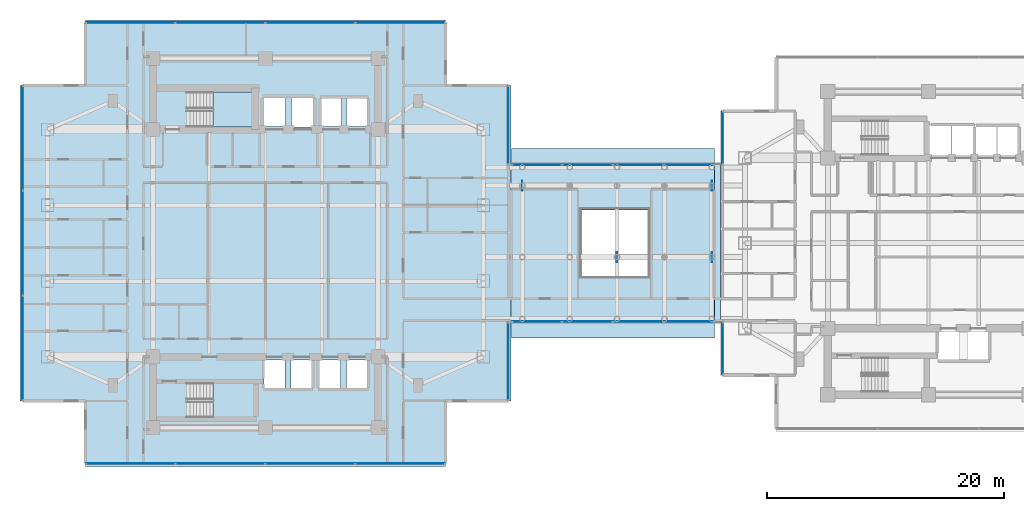
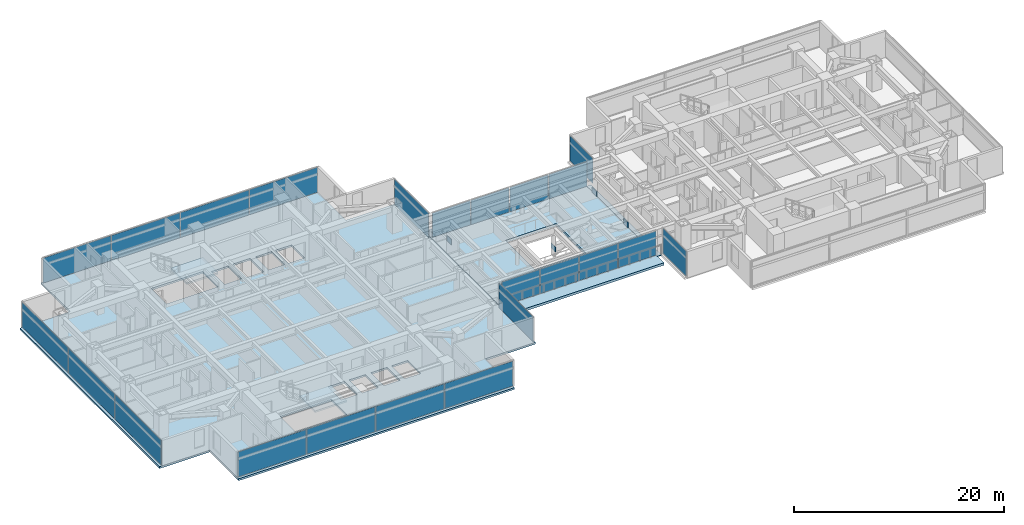
# One storey, part 12 of 28: 27 plates, 5 slabs, 11 elements without a shape of their own.
"""IFC4 building model written with IfcOpenShell, lengths in metres."""

from ifc_helpers import new_model, si_unit, direction, frame, origin, origin_2d, place, context, subcontext, project, spatial, polyline, rectangle, outline, extrude, material, layer, layer_set, type_object, element, aggregate, save


model = new_model("IFC4")

# Units and contexts
model_context = context("Model", 3, precision=1e-05, world=origin(), true_north=direction((0.0, 1.0)))
body_context = subcontext(model_context, "Body", "Model", "MODEL_VIEW")
ifc_project = project(units=[si_unit("LENGTHUNIT", "METRE"), si_unit("AREAUNIT", "SQUARE_METRE"), si_unit("VOLUMEUNIT", "CUBIC_METRE"), si_unit("PLANEANGLEUNIT", "RADIAN"), si_unit("MASSUNIT", "GRAM", prefix="KILO")], contexts=[model_context])

# Site, building, storey
site_placement = place(None, origin())
site = spatial("IfcSite", under=ifc_project, at=site_placement, CompositionType="ELEMENT")
building_placement = place(site_placement, origin())
building = spatial("IfcBuilding", under=site, at=building_placement, Name="Mirazonda Arch Towers", CompositionType="ELEMENT")
storey_placement = place(building_placement, frame((0.0, 0.0, 91.699951171875)))
storey = spatial("IfcBuildingStorey", under=building, at=storey_placement, Name="L25", CompositionType="ELEMENT", Elevation=91.699951171875)

# Curtain wall, plates
ifc_material_1 = material(Name="Anodised Aluminium and Low-E Glass", Category="aluminium")
curtain_wall_type_1 = type_object("IfcCurtainWallType", Name="CW-BRG-LINK", PredefinedType="NOTDEFINED", material=ifc_material_1)
curtain_wall_1_placement = place(storey_placement, origin())
curtain_wall_1 = element("IfcCurtainWall", 1, at=curtain_wall_1_placement, inside=storey, type_object=curtain_wall_type_1, Name="L25 Skybridge South Glazing CW-L25-BRG-S", PredefinedType="NOTDEFINED")
ifc_material_2 = material(Name="Insulated Low-E Solar Glass", Category="glass")
ifc_layer_1 = layer(ifc_material_2, 0.0439453125, Name="PAN-CW-BRG-LINK")
ifc_layer_set_1 = layer_set([ifc_layer_1], Name="Insulated Low-E Solar Glass")
plate_type_1 = type_object("IfcPlateType", Name="PAN-CW-BRG-LINK", PredefinedType="CURTAIN_PANEL", material=ifc_layer_set_1)
plate_1_placement = place(storey_placement, frame((56.28076171875, 21.3798828125, 0.0849609375), z_axis=(0.0, 0.0, 1.0), x_axis=(-1.0, 0.0, 0.0)))
plate_1 = element("IfcPlate", 2, at=plate_1_placement, type_object=plate_type_1, Name="CW-103 panel 1.1", PredefinedType="CURTAIN_PANEL", context=body_context, shape_type="SweptSolid", body=[
    extrude(rectangle(XDim=4.16748046875, YDim=0.0439453125, at=origin_2d()), origin(), (0.0, 0.0, 1.0), 2.830078125),
])
plate_2_placement = place(storey_placement, frame((52.007080078125, 21.3798828125, 0.0849609375), z_axis=(0.0, 0.0, 1.0), x_axis=(-1.0, 0.0, 0.0)))
plate_2 = element("IfcPlate", 3, at=plate_2_placement, type_object=plate_type_1, Name="CW-103 panel 2.1", PredefinedType="CURTAIN_PANEL", context=body_context, shape_type="SweptSolid", body=[
    extrude(rectangle(XDim=4.2099609375, YDim=0.0439453125, at=origin_2d()), origin(), (0.0, 0.0, 1.0), 2.830078125),
])
plate_3_placement = place(storey_placement, frame((47.71240234375, 21.3798828125, 0.0849609375), z_axis=(0.0, 0.0, 1.0), x_axis=(-1.0, 0.0, 0.0)))
plate_3 = element("IfcPlate", 4, at=plate_3_placement, type_object=plate_type_1, Name="CW-103 panel 3.1", PredefinedType="CURTAIN_PANEL", context=body_context, shape_type="SweptSolid", body=[
    extrude(rectangle(XDim=4.2099609375, YDim=0.0439453125, at=origin_2d()), origin(), (0.0, 0.0, 1.0), 2.830078125),
])
plate_4_placement = place(storey_placement, frame((43.438720703125, 21.3798828125, 0.0849609375), z_axis=(0.0, 0.0, 1.0), x_axis=(-1.0, 0.0, 0.0)))
plate_4 = element("IfcPlate", 5, at=plate_4_placement, type_object=plate_type_1, Name="CW-103 panel 4.1", PredefinedType="CURTAIN_PANEL", context=body_context, shape_type="SweptSolid", body=[
    extrude(rectangle(XDim=4.16748046875, YDim=0.0439453125, at=origin_2d()), origin(), (0.0, 0.0, 1.0), 2.830078125),
])
aggregate(curtain_wall_1, [plate_1, plate_2, plate_3, plate_4])

curtain_wall_2_placement = place(storey_placement, origin())
curtain_wall_2 = element("IfcCurtainWall", 6, at=curtain_wall_2_placement, inside=storey, type_object=curtain_wall_type_1, Name="L25 Skybridge North Glazing CW-L25-BRG-N", PredefinedType="NOTDEFINED")
plate_5_placement = place(storey_placement, frame((43.438720703125, 34.6201171875, 0.0849609375), z_axis=(0.0, 0.0, 1.0), x_axis=(1.0, 0.0, 0.0)))
plate_5 = element("IfcPlate", 7, at=plate_5_placement, type_object=plate_type_1, Name="CW-103 panel 1.1", PredefinedType="CURTAIN_PANEL", context=body_context, shape_type="SweptSolid", body=[
    extrude(rectangle(XDim=4.16748046875, YDim=0.0439453125, at=origin_2d()), origin(), (0.0, 0.0, 1.0), 2.830078125),
])
plate_6_placement = place(storey_placement, frame((47.71240234375, 34.6201171875, 0.0849609375), z_axis=(0.0, 0.0, 1.0), x_axis=(1.0, 0.0, 0.0)))
plate_6 = element("IfcPlate", 8, at=plate_6_placement, type_object=plate_type_1, Name="CW-103 panel 2.1", PredefinedType="CURTAIN_PANEL", context=body_context, shape_type="SweptSolid", body=[
    extrude(rectangle(XDim=4.2099609375, YDim=0.0439453125, at=origin_2d()), origin(), (0.0, 0.0, 1.0), 2.830078125),
])
plate_7_placement = place(storey_placement, frame((52.007080078125, 34.6201171875, 0.0849609375), z_axis=(0.0, 0.0, 1.0), x_axis=(1.0, 0.0, 0.0)))
plate_7 = element("IfcPlate", 9, at=plate_7_placement, type_object=plate_type_1, Name="CW-103 panel 3.1", PredefinedType="CURTAIN_PANEL", context=body_context, shape_type="SweptSolid", body=[
    extrude(rectangle(XDim=4.2099609375, YDim=0.0439453125, at=origin_2d()), origin(), (0.0, 0.0, 1.0), 2.830078125),
])
plate_8_placement = place(storey_placement, frame((56.28076171875, 34.6201171875, 0.0849609375), z_axis=(0.0, 0.0, 1.0), x_axis=(1.0, 0.0, 0.0)))
plate_8 = element("IfcPlate", 10, at=plate_8_placement, type_object=plate_type_1, Name="CW-103 panel 4.1", PredefinedType="CURTAIN_PANEL", context=body_context, shape_type="SweptSolid", body=[
    extrude(rectangle(XDim=4.16748046875, YDim=0.0439453125, at=origin_2d()), origin(), (0.0, 0.0, 1.0), 2.830078125),
])
aggregate(curtain_wall_2, [plate_5, plate_6, plate_7, plate_8])

curtain_wall_type_2 = type_object("IfcCurtainWallType", Name="CW-HTL-UNIT", PredefinedType="NOTDEFINED", material=ifc_material_1)
curtain_wall_3_placement = place(storey_placement, origin())
curtain_wall_3 = element("IfcCurtainWall", 11, at=curtain_wall_3_placement, inside=storey, type_object=curtain_wall_type_2, Name="L25 T1 S Facade CW-L25-T1-S", PredefinedType="NOTDEFINED")
ifc_layer_2 = layer(ifc_material_2, 0.035888671875, Name="PAN-CW-HTL-UNIT")
ifc_layer_set_2 = layer_set([ifc_layer_2], Name="Insulated Low-E Solar Glass")
plate_type_2 = type_object("IfcPlateType", Name="PAN-CW-HTL-UNIT", PredefinedType="CURTAIN_PANEL", material=ifc_layer_set_2)
plate_9_placement = place(storey_placement, frame((31.885009765625, 9.3720703125, 0.0751953125), z_axis=(0.0, 0.0, 1.0), x_axis=(-1.0, 0.0, 0.0)))
plate_9 = element("IfcPlate", 12, at=plate_9_placement, type_object=plate_type_2, Name="CW-112 panel 1.1", PredefinedType="CURTAIN_PANEL", context=body_context, shape_type="SweptSolid", body=[
    extrude(rectangle(XDim=7.489990234375, YDim=0.035888671875, at=origin_2d()), origin(), (0.0, 0.0, 1.0), 2.909912109375),
])
plate_10_placement = place(storey_placement, frame((24.30126953125, 9.3720703125, 0.0751953125), z_axis=(0.0, 0.0, 1.0), x_axis=(-1.0, 0.0, 0.0)))
plate_10 = element("IfcPlate", 13, at=plate_10_placement, type_object=plate_type_2, Name="CW-112 panel 2.1", PredefinedType="CURTAIN_PANEL", context=body_context, shape_type="SweptSolid", body=[
    extrude(rectangle(XDim=7.527587890625, YDim=0.035888671875, at=origin_2d()), origin(), (0.0, 0.0, 1.0), 2.909912109375),
])
plate_11_placement = place(storey_placement, frame((16.69873046875, 9.3720703125, 0.0751953125), z_axis=(0.0, 0.0, 1.0), x_axis=(-1.0, 0.0, 0.0)))
plate_11 = element("IfcPlate", 14, at=plate_11_placement, type_object=plate_type_2, Name="CW-112 panel 3.1", PredefinedType="CURTAIN_PANEL", context=body_context, shape_type="SweptSolid", body=[
    extrude(rectangle(XDim=7.527587890625, YDim=0.035888671875, at=origin_2d()), origin(), (0.0, 0.0, 1.0), 2.909912109375),
])
plate_12_placement = place(storey_placement, frame((9.114990234375, 9.3720703125, 0.0751953125), z_axis=(0.0, 0.0, 1.0), x_axis=(-1.0, 0.0, 0.0)))
plate_12 = element("IfcPlate", 15, at=plate_12_placement, type_object=plate_type_2, Name="CW-112 panel 4.1", PredefinedType="CURTAIN_PANEL", context=body_context, shape_type="SweptSolid", body=[
    extrude(rectangle(XDim=7.489990234375, YDim=0.035888671875, at=origin_2d()), origin(), (0.0, 0.0, 1.0), 2.909912109375),
])
aggregate(curtain_wall_3, [plate_9, plate_10, plate_11, plate_12])

# Curtain wall, plate
curtain_wall_4_placement = place(storey_placement, origin())
curtain_wall_4 = element("IfcCurtainWall", 16, at=curtain_wall_4_placement, inside=storey, type_object=curtain_wall_type_2, Name="L25 Curtain Wall CW-L25-T1-E1", PredefinedType="NOTDEFINED")
plate_13_placement = place(storey_placement, frame((41.010009765625, 18.0185546875, 0.0751953125), z_axis=(0.0, 0.0, 1.0), x_axis=(0.0, 1.0, 0.0)))
plate_13 = element("IfcPlate", 17, at=plate_13_placement, type_object=plate_type_2, Name="CW-112 panel 1.1", PredefinedType="CURTAIN_PANEL", context=body_context, shape_type="SweptSolid", body=[
    extrude(rectangle(XDim=6.532958984375, YDim=0.035888671875, at=origin_2d()), origin(), (0.0, 0.0, 1.0), 2.909912109375),
])
aggregate(curtain_wall_4, [plate_13])

curtain_wall_5_placement = place(storey_placement, origin())
curtain_wall_5 = element("IfcCurtainWall", 18, at=curtain_wall_5_placement, inside=storey, type_object=curtain_wall_type_2, Name="L25 Curtain Wall CW-L25-T1-E2", PredefinedType="NOTDEFINED")
plate_14_placement = place(storey_placement, frame((41.010009765625, 37.9814453125, 0.0751953125), z_axis=(0.0, 0.0, 1.0), x_axis=(0.0, 1.0, 0.0)))
plate_14 = element("IfcPlate", 19, at=plate_14_placement, type_object=plate_type_2, Name="CW-112 panel 1.1", PredefinedType="CURTAIN_PANEL", context=body_context, shape_type="SweptSolid", body=[
    extrude(rectangle(XDim=6.532958984375, YDim=0.035888671875, at=origin_2d()), origin(), (0.0, 0.0, 1.0), 2.909912109375),
])
aggregate(curtain_wall_5, [plate_14])

# Curtain wall, plates
curtain_wall_6_placement = place(storey_placement, origin())
curtain_wall_6 = element("IfcCurtainWall", 20, at=curtain_wall_6_placement, inside=storey, type_object=curtain_wall_type_2, Name="L25 T1 N Facade CW-L25-T1-N", PredefinedType="NOTDEFINED")
plate_15_placement = place(storey_placement, frame((9.114990234375, 46.6279296875, 0.0751953125), z_axis=(0.0, 0.0, 1.0), x_axis=(1.0, 0.0, 0.0)))
plate_15 = element("IfcPlate", 21, at=plate_15_placement, type_object=plate_type_2, Name="CW-112 panel 1.1", PredefinedType="CURTAIN_PANEL", context=body_context, shape_type="SweptSolid", body=[
    extrude(rectangle(XDim=7.489990234375, YDim=0.035888671875, at=origin_2d()), origin(), (0.0, 0.0, 1.0), 2.909912109375),
])
plate_16_placement = place(storey_placement, frame((16.69873046875, 46.6279296875, 0.0751953125), z_axis=(0.0, 0.0, 1.0), x_axis=(1.0, 0.0, 0.0)))
plate_16 = element("IfcPlate", 22, at=plate_16_placement, type_object=plate_type_2, Name="CW-112 panel 2.1", PredefinedType="CURTAIN_PANEL", context=body_context, shape_type="SweptSolid", body=[
    extrude(rectangle(XDim=7.527587890625, YDim=0.035888671875, at=origin_2d()), origin(), (0.0, 0.0, 1.0), 2.909912109375),
])
plate_17_placement = place(storey_placement, frame((24.30126953125, 46.6279296875, 0.0751953125), z_axis=(0.0, 0.0, 1.0), x_axis=(1.0, 0.0, 0.0)))
plate_17 = element("IfcPlate", 23, at=plate_17_placement, type_object=plate_type_2, Name="CW-112 panel 3.1", PredefinedType="CURTAIN_PANEL", context=body_context, shape_type="SweptSolid", body=[
    extrude(rectangle(XDim=7.527587890625, YDim=0.035888671875, at=origin_2d()), origin(), (0.0, 0.0, 1.0), 2.909912109375),
])
plate_18_placement = place(storey_placement, frame((31.885009765625, 46.6279296875, 0.0751953125), z_axis=(0.0, 0.0, 1.0), x_axis=(1.0, 0.0, 0.0)))
plate_18 = element("IfcPlate", 24, at=plate_18_placement, type_object=plate_type_2, Name="CW-112 panel 4.1", PredefinedType="CURTAIN_PANEL", context=body_context, shape_type="SweptSolid", body=[
    extrude(rectangle(XDim=7.489990234375, YDim=0.035888671875, at=origin_2d()), origin(), (0.0, 0.0, 1.0), 2.909912109375),
])
aggregate(curtain_wall_6, [plate_15, plate_16, plate_17, plate_18])

curtain_wall_7_placement = place(storey_placement, origin())
curtain_wall_7 = element("IfcCurtainWall", 25, at=curtain_wall_7_placement, inside=storey, type_object=curtain_wall_type_2, Name="L25 T1 W Facade CW-L25-T1-W", PredefinedType="NOTDEFINED")
plate_19_placement = place(storey_placement, frame((-0.010009765625, 36.86328125, 0.0751953125), z_axis=(0.0, 0.0, 1.0), x_axis=(0.0, -1.0, 0.0)))
plate_19 = element("IfcPlate", 26, at=plate_19_placement, type_object=plate_type_2, Name="CW-112 panel 1.1", PredefinedType="CURTAIN_PANEL", context=body_context, shape_type="SweptSolid", body=[
    extrude(rectangle(XDim=8.76953125, YDim=0.035888671875, at=origin_2d()), origin(), (0.0, 0.0, 1.0), 2.909912109375),
])
plate_20_placement = place(storey_placement, frame((-0.010009765625, 28.0, 0.0751953125), z_axis=(0.0, 0.0, 1.0), x_axis=(0.0, -1.0, 0.0)))
plate_20 = element("IfcPlate", 27, at=plate_20_placement, type_object=plate_type_2, Name="CW-112 panel 2.1", PredefinedType="CURTAIN_PANEL", context=body_context, shape_type="SweptSolid", body=[
    extrude(rectangle(XDim=8.806884765625, YDim=0.035888671875, at=origin_2d()), origin(), (0.0, 0.0, 1.0), 2.909912109375),
])
plate_21_placement = place(storey_placement, frame((-0.010009765625, 19.13671875, 0.0751953125), z_axis=(0.0, 0.0, 1.0), x_axis=(0.0, -1.0, 0.0)))
plate_21 = element("IfcPlate", 28, at=plate_21_placement, type_object=plate_type_2, Name="CW-112 panel 3.1", PredefinedType="CURTAIN_PANEL", context=body_context, shape_type="SweptSolid", body=[
    extrude(rectangle(XDim=8.76953125, YDim=0.035888671875, at=origin_2d()), origin(), (0.0, 0.0, 1.0), 2.909912109375),
])
aggregate(curtain_wall_7, [plate_19, plate_20, plate_21])

# Curtain wall, plate
curtain_wall_8_placement = place(storey_placement, origin())
curtain_wall_8 = element("IfcCurtainWall", 29, at=curtain_wall_8_placement, inside=storey, type_object=curtain_wall_type_2, Name="L25 Curtain Wall CW-L25-T2-W1", PredefinedType="NOTDEFINED")
plate_22_placement = place(storey_placement, frame((59.119384765625, 36.90234375, 0.0751953125), z_axis=(0.0, 0.0, 1.0), x_axis=(0.0, -1.0, 0.0)))
plate_22 = element("IfcPlate", 30, at=plate_22_placement, type_object=plate_type_2, Name="CW-112 panel 1.1", PredefinedType="CURTAIN_PANEL", context=body_context, shape_type="SweptSolid", body=[
    extrude(rectangle(XDim=4.37451171875, YDim=0.035888671875, at=origin_2d()), origin(), (0.0, 0.0, 1.0), 2.909912109375),
])
aggregate(curtain_wall_8, [plate_22])

curtain_wall_9_placement = place(storey_placement, origin())
curtain_wall_9 = element("IfcCurtainWall", 31, at=curtain_wall_9_placement, inside=storey, type_object=curtain_wall_type_2, Name="L25 Curtain Wall CW-L25-T2-W2", PredefinedType="NOTDEFINED")
plate_23_placement = place(storey_placement, frame((59.119384765625, 19.09765625, 0.0751953125), z_axis=(0.0, 0.0, 1.0), x_axis=(0.0, -1.0, 0.0)))
plate_23 = element("IfcPlate", 32, at=plate_23_placement, type_object=plate_type_2, Name="CW-112 panel 1.1", PredefinedType="CURTAIN_PANEL", context=body_context, shape_type="SweptSolid", body=[
    extrude(rectangle(XDim=4.37451171875, YDim=0.035888671875, at=origin_2d()), origin(), (0.0, 0.0, 1.0), 2.909912109375),
])
aggregate(curtain_wall_9, [plate_23])

# Plates
ifc_material_3 = material(Name="Steel ASTM A572 Grade 50", Category="steel")
ifc_layer_3 = layer(ifc_material_3, 0.035888671875, Name="PLATE-CAP-850x600x36")
ifc_layer_set_3 = layer_set([ifc_layer_3], Name="Steel ASTM A572 Grade 50")
plate_type_3 = type_object("IfcPlateType", Name="PLATE-CAP-850x600x36", PredefinedType="USERDEFINED", material=ifc_layer_set_3)
for number, where, z_axis, x_axis, name in (
    (33, (50.19189453125, 26.820068359375, 0.25), (0.0, 0.0, 1.0), (-1.0, 0.0, 0.0), "Steel end closure plate NP-BRG-L25-IS-CA"),
    (34, (58.2080078125, 26.820068359375, 0.25), (0.0, 0.0, 1.0), (1.0, 0.0, 0.0), "Steel end closure plate NP-BRG-L25-IS-CB"),
    (35, (42.19189453125, 32.85009765625, 0.25), (0.0, 0.0, 1.0), (-1.0, 0.0, 0.0), "Steel end closure plate NP-BRG-L25-IN-CA"),
    (36, (58.2080078125, 32.85009765625, 0.25), (0.0, 0.0, 1.0), (1.0, 0.0, 0.0), "Steel end closure plate NP-BRG-L25-IN-CB"),
):
    element("IfcPlate", number, at=place(storey_placement, frame(where, z_axis=z_axis, x_axis=x_axis)), inside=storey, type_object=plate_type_3, Name=name, ObjectType="CAP PLATE", PredefinedType="USERDEFINED", context=body_context, shape_type="SweptSolid", body=[
        extrude(rectangle(XDim=0.0400390625, YDim=0.85009765625, at=origin_2d()), origin(), (0.0, 0.0, 1.0), 0.60009765625),
    ])

# Slabs
ifc_material_4 = material(Name="Concrete C40/50", Category="concrete")
ifc_layer_4 = layer(ifc_material_4, 0.280029296875, Name="SLAB-BRG-280")
ifc_layer_set_4 = layer_set([ifc_layer_4], Name="Concrete C40/50")
slab_type_1 = type_object("IfcSlabType", Name="SLAB-BRG-280", PredefinedType="FLOOR", material=ifc_layer_set_4)
slab_1_placement = place(storey_placement, frame((0.0, 0.0, -0.280029296875)))
element("IfcSlab", 37, at=slab_1_placement, inside=storey, type_object=slab_type_1, Name="L25 Skybridge Link Floor Slab", PredefinedType="FLOOR", context=body_context, shape_type="SweptSolid", body=[
    extrude(outline(polyline([(41.27001953125, 20.0), (58.449462890625, 20.0), (58.449462890625, 36.0), (41.27001953125, 36.0), (41.27001953125, 20.0)]), holes=[polyline([(52.800048828125, 30.800048828125), (52.800048828125, 25.199951171875), (47.199951171875, 25.199951171875), (47.199951171875, 30.800048828125), (52.800048828125, 30.800048828125)])]), origin(), (0.0, 0.0, 1.0), 0.280029296875),
])
ifc_layer_5 = layer(ifc_material_4, 0.080078125, Name="SLAB-JOINT-COVER-80")
ifc_layer_set_5 = layer_set([ifc_layer_5], Name="Concrete C40/50")
slab_type_2 = type_object("IfcSlabType", Name="SLAB-JOINT-COVER-80", PredefinedType="FLOOR", material=ifc_layer_set_5)
slab_2_placement = place(storey_placement, frame((0.0, 0.0, -0.079833984375)))
element("IfcSlab", 38, at=slab_2_placement, inside=storey, type_object=slab_type_2, Name="L25 Skybridge 450mm Seismic Movement Joint Cover Plate", PredefinedType="FLOOR", context=body_context, shape_type="SweptSolid", body=[
    extrude(outline(polyline([(58.429443359375, 21.260009765625), (58.91943359375, 21.260009765625), (58.91943359375, 34.739990234375), (58.429443359375, 34.739990234375), (58.429443359375, 21.260009765625)])), origin(), (0.0, 0.0, 1.0), 0.079833984375),
])

# Stair, slab
stair_type = type_object("IfcStairType", Name="STAIR-CORE-1400", PredefinedType="HALF_TURN_STAIR", material=ifc_material_4)
stair_1_placement = place(storey_placement, origin())
stair_1 = element("IfcStair", 39, at=stair_1_placement, inside=storey, type_object=stair_type, Name="L25 Protected Exit Stair ST-T1N", PredefinedType="HALF_TURN_STAIR")
ifc_layer_6 = layer(ifc_material_4, 0.18994140625, Name="SLAB-LANDING-190")
ifc_layer_set_6 = layer_set([ifc_layer_6], Name="Concrete C40/50")
slab_type_3 = type_object("IfcSlabType", Name="SLAB-LANDING-190", PredefinedType="LANDING", material=ifc_layer_set_6)
slab_3_placement = place(storey_placement, frame((0.0, 0.0, 1.449951171875)))
slab_3 = element("IfcSlab", 40, at=slab_3_placement, type_object=slab_type_3, Name="ST-T1N landing 1", PredefinedType="LANDING", context=body_context, shape_type="SweptSolid", body=[
    extrude(outline(polyline([(16.090087890625, 37.820068359375), (19.60009765625, 37.820068359375), (19.60009765625, 40.760009765625), (16.090087890625, 40.760009765625), (16.090087890625, 37.820068359375)])), origin(), (0.0, 0.0, 1.0), 0.2001953125),
])
aggregate(stair_1, [slab_3])

stair_2_placement = place(storey_placement, origin())
stair_2 = element("IfcStair", 41, at=stair_2_placement, inside=storey, type_object=stair_type, Name="L25 Protected Exit Stair ST-T1S", PredefinedType="HALF_TURN_STAIR")
slab_4_placement = place(storey_placement, frame((0.0, 0.0, 1.449951171875)))
slab_4 = element("IfcSlab", 42, at=slab_4_placement, type_object=slab_type_3, Name="ST-T1S landing 1", PredefinedType="LANDING", context=body_context, shape_type="SweptSolid", body=[
    extrude(outline(polyline([(16.090087890625, 13.25), (19.60009765625, 13.25), (19.60009765625, 16.18994140625), (16.090087890625, 16.18994140625), (16.090087890625, 13.25)])), origin(), (0.0, 0.0, 1.0), 0.2001953125),
])
aggregate(stair_2, [slab_4])

# Slab
ifc_layer_7 = layer(ifc_material_4, 0.219970703125, Name="SLAB-TWR-220")
ifc_layer_set_7 = layer_set([ifc_layer_7], Name="Concrete C40/50")
slab_type_4 = type_object("IfcSlabType", Name="SLAB-TWR-220", PredefinedType="FLOOR", material=ifc_layer_set_7)
slab_5_placement = place(storey_placement, frame((0.0, 0.0, -0.219970703125)))
element("IfcSlab", 43, at=slab_5_placement, inside=storey, type_object=slab_type_4, Name="L25 Tower 1 Floor Slab", PredefinedType="FLOOR", context=body_context, shape_type="SweptSolid", body=[
    extrude(outline(polyline([(5.294921875, 9.152099609375), (35.705078125, 9.152099609375), (35.705078125, 14.677001953125), (41.22998046875, 14.677001953125), (41.22998046875, 41.322998046875), (35.705078125, 41.322998046875), (35.705078125, 46.847900390625), (5.294921875, 46.847900390625), (5.294921875, 41.322998046875), (-0.22998046875, 41.322998046875), (-0.22998046875, 14.677001953125), (5.294921875, 14.677001953125), (5.294921875, 9.152099609375)]), holes=[polyline([(29.139892578125, 18.139892578125), (29.139892578125, 15.659912109375), (27.360107421875, 15.659912109375), (27.360107421875, 18.139892578125), (29.139892578125, 18.139892578125)]), polyline([(29.139892578125, 40.340087890625), (29.139892578125, 37.860107421875), (27.360107421875, 37.860107421875), (27.360107421875, 40.340087890625), (29.139892578125, 40.340087890625)]), polyline([(25.159912109375, 40.340087890625), (26.93994140625, 40.340087890625), (26.93994140625, 37.860107421875), (25.159912109375, 37.860107421875), (25.159912109375, 40.340087890625)]), polyline([(26.840087890625, 18.139892578125), (26.840087890625, 15.659912109375), (25.06005859375, 15.659912109375), (25.06005859375, 18.139892578125), (26.840087890625, 18.139892578125)]), polyline([(22.7099609375, 40.389892578125), (24.590087890625, 40.389892578125), (24.590087890625, 37.81005859375), (22.7099609375, 37.81005859375), (22.7099609375, 40.389892578125)]), polyline([(22.659912109375, 18.139892578125), (24.43994140625, 18.139892578125), (24.43994140625, 15.659912109375), (22.659912109375, 15.659912109375), (22.659912109375, 18.139892578125)]), polyline([(20.31005859375, 40.340087890625), (22.18994140625, 40.340087890625), (22.18994140625, 37.860107421875), (20.31005859375, 37.860107421875), (20.31005859375, 40.340087890625)]), polyline([(20.360107421875, 18.139892578125), (22.139892578125, 18.139892578125), (22.139892578125, 15.659912109375), (20.360107421875, 15.659912109375), (20.360107421875, 18.139892578125)]), polyline([(13.925048828125, 40.760009765625), (19.60009765625, 40.760009765625), (19.60009765625, 37.820068359375), (13.925048828125, 37.820068359375), (13.925048828125, 40.760009765625)]), polyline([(13.925048828125, 13.25), (13.925048828125, 16.18994140625), (19.60009765625, 16.18994140625), (19.60009765625, 13.25), (13.925048828125, 13.25)])]), origin(), (0.0, 0.0, 1.0), 0.219970703125),
])

save(model, "model.ifc")
